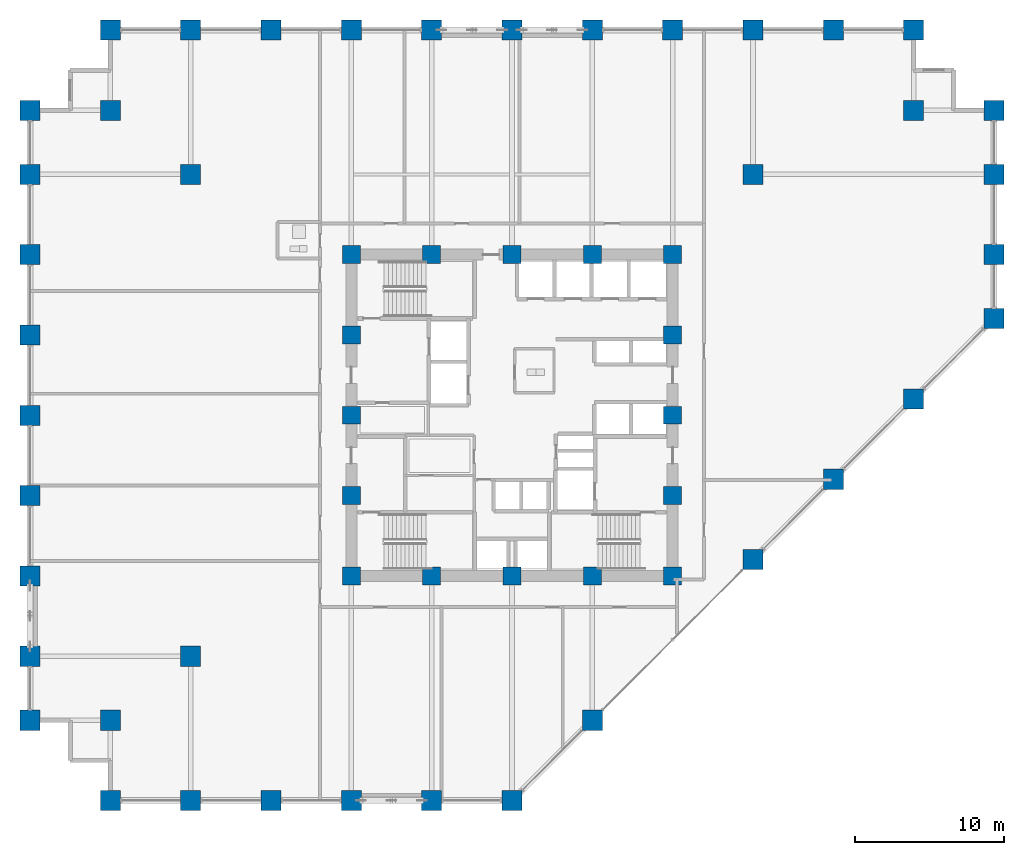
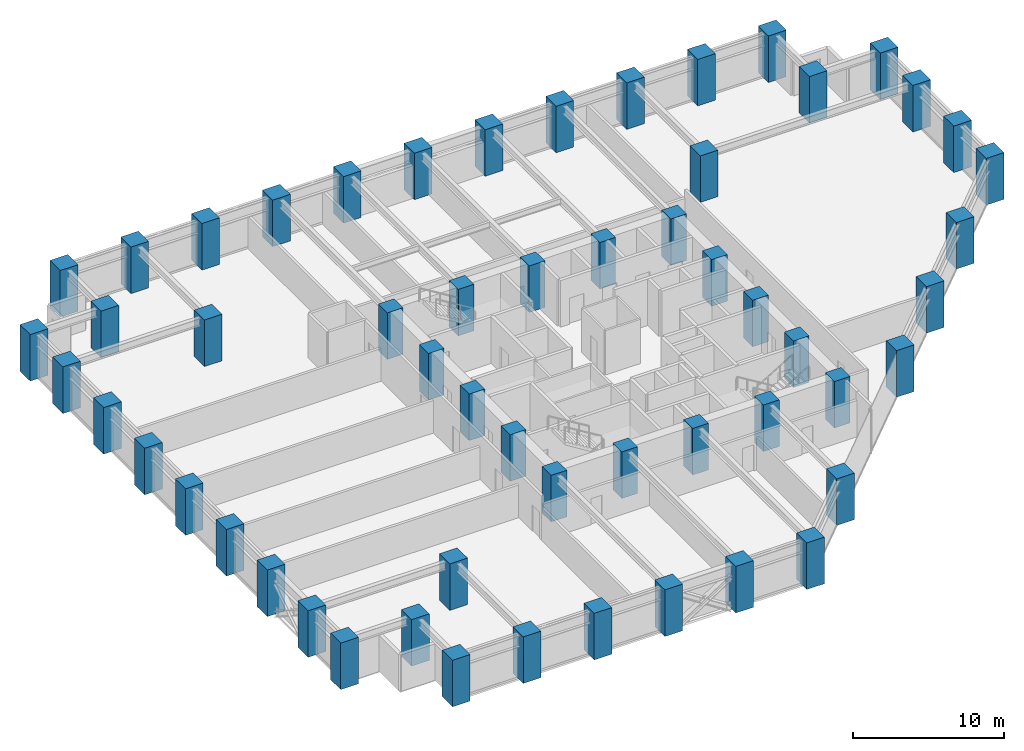
# One storey, part 1 of 24: 56 columns.
"""IFC4 building model written with IfcOpenShell, lengths in metres."""

from ifc_helpers import new_model, si_unit, direction, frame, origin, origin_2d, place, context, subcontext, project, spatial, rectangle, extrude, material, material_profile, profile_set, type_object, element, save


model = new_model("IFC4")

# Units and contexts
model_context = context("Model", 3, precision=1e-05, world=origin(), true_north=direction((0.0, 1.0)))
body_context = subcontext(model_context, "Body", "Model", "MODEL_VIEW")
ifc_project = project(units=[si_unit("LENGTHUNIT", "METRE"), si_unit("AREAUNIT", "SQUARE_METRE"), si_unit("VOLUMEUNIT", "CUBIC_METRE"), si_unit("PLANEANGLEUNIT", "RADIAN"), si_unit("MASSUNIT", "GRAM", prefix="KILO")], contexts=[model_context])

# Site, building, storey
site_placement = place(None, origin())
site = spatial("IfcSite", under=ifc_project, at=site_placement, CompositionType="ELEMENT")
building_placement = place(site_placement, origin())
building = spatial("IfcBuilding", under=site, at=building_placement, Name="Surkhivell Harbour Commons", CompositionType="ELEMENT")
storey_placement = place(building_placement, frame((0.0, 0.0, 26.25)))
storey = spatial("IfcBuildingStorey", under=building, at=storey_placement, Name="L06", CompositionType="ELEMENT", Elevation=26.25)

# Columns
ifc_material = material(Name="Concrete C80/95", Category="concrete")
ifc_material_profile_1 = material_profile(ifc_material, rectangle(XDim=1.35009765625, YDim=1.35009765625, at=origin_2d()), Name="RC-COL-1350x1350")
ifc_profile_set_1 = profile_set([ifc_material_profile_1], Name="Concrete C80/95")
column_type_1 = type_object("IfcColumnType", Name="COL-TUBE-Z1A", PredefinedType="COLUMN", material=ifc_profile_set_1)
for number, where, z_axis, x_axis, name in (
    (1, (-32.39990234375, -20.5, 0.0), (0.0, 0.0, 1.0), (1.0, 0.0, 0.0), "L06 Column CT-1A (-32.4,-20.5)"),
    (2, (-32.39990234375, -16.199951171875, 0.0), (0.0, 0.0, 1.0), (1.0, 0.0, 0.0), "L06 Column CT-1A (-32.4,-16.2)"),
    (3, (-32.39990234375, -10.800048828125, 0.0), (0.0, 0.0, 1.0), (1.0, 0.0, 0.0), "L06 Column CT-1A (-32.4,-10.8)"),
    (4, (-32.39990234375, -5.39990234375, 0.0), (0.0, 0.0, 1.0), (1.0, 0.0, 0.0), "L06 Column CT-1A (-32.4,-5.4)"),
    (5, (-32.39990234375, 0.0, 0.0), (0.0, 0.0, 1.0), (1.0, 0.0, 0.0), "L06 Column CT-1A (-32.4,0.0)"),
    (6, (-32.39990234375, 5.39990234375, 0.0), (0.0, 0.0, 1.0), (1.0, 0.0, 0.0), "L06 Column CT-1A (-32.4,5.4)"),
    (7, (-32.39990234375, 10.800048828125, 0.0), (0.0, 0.0, 1.0), (1.0, 0.0, 0.0), "L06 Column CT-1A (-32.4,10.8)"),
    (8, (-32.39990234375, 16.199951171875, 0.0), (0.0, 0.0, 1.0), (1.0, 0.0, 0.0), "L06 Column CT-1A (-32.4,16.2)"),
    (9, (-32.39990234375, 20.5, 0.0), (0.0, 0.0, 1.0), (1.0, 0.0, 0.0), "L06 Column CT-1A (-32.4,20.5)"),
    (10, (-27.0, -25.89990234375, 0.0), (0.0, 0.0, 1.0), (1.0, 0.0, 0.0), "L06 Column CT-1A (-27.0,-25.9)"),
    (11, (-27.0, -20.5, 0.0), (0.0, 0.0, 1.0), (1.0, 0.0, 0.0), "L06 Column CT-1A (-27.0,-20.5)"),
    (12, (-27.0, 20.5, 0.0), (0.0, 0.0, 1.0), (1.0, 0.0, 0.0), "L06 Column CT-1A (-27.0,20.5)"),
    (13, (-27.0, 25.89990234375, 0.0), (0.0, 0.0, 1.0), (1.0, 0.0, 0.0), "L06 Column CT-1A (-27.0,25.9)"),
    (14, (-21.60009765625, -25.89990234375, 0.0), (0.0, 0.0, 1.0), (1.0, 0.0, 0.0), "L06 Column CT-1A (-21.6,-25.9)"),
    (15, (-21.60009765625, -16.199951171875, 0.0), (0.0, 0.0, 1.0), (1.0, 0.0, 0.0), "L06 Column CT-1A (-21.6,-16.2)"),
    (16, (-21.60009765625, 16.199951171875, 0.0), (0.0, 0.0, 1.0), (1.0, 0.0, 0.0), "L06 Column CT-1A (-21.6,16.2)"),
    (17, (-21.60009765625, 25.89990234375, 0.0), (0.0, 0.0, 1.0), (1.0, 0.0, 0.0), "L06 Column CT-1A (-21.6,25.9)"),
    (18, (-16.199951171875, -25.89990234375, 0.0), (0.0, 0.0, 1.0), (1.0, 0.0, 0.0), "L06 Column CT-1A (-16.2,-25.9)"),
    (19, (-16.199951171875, 25.89990234375, 0.0), (0.0, 0.0, 1.0), (1.0, 0.0, 0.0), "L06 Column CT-1A (-16.2,25.9)"),
    (20, (-10.800048828125, -25.89990234375, 0.0), (0.0, 0.0, 1.0), (1.0, 0.0, 0.0), "L06 Column CT-1A (-10.8,-25.9)"),
    (21, (-10.800048828125, 25.89990234375, 0.0), (0.0, 0.0, 1.0), (1.0, 0.0, 0.0), "L06 Column CT-1A (-10.8,25.9)"),
    (22, (-5.39990234375, -25.89990234375, 0.0), (0.0, 0.0, 1.0), (1.0, 0.0, 0.0), "L06 Column CT-1A (-5.4,-25.9)"),
    (23, (-5.39990234375, 25.89990234375, 0.0), (0.0, 0.0, 1.0), (1.0, 0.0, 0.0), "L06 Column CT-1A (-5.4,25.9)"),
    (24, (0.0, -25.89990234375, 0.0), (0.0, 0.0, 1.0), (1.0, 0.0, 0.0), "L06 Column CT-1A (-0.0,-25.9)"),
    (25, (0.0, 25.89990234375, 0.0), (0.0, 0.0, 1.0), (1.0, 0.0, 0.0), "L06 Column CT-1A (-0.0,25.9)"),
    (26, (5.39990234375, -20.5, 0.0), (0.0, 0.0, 1.0), (1.0, 0.0, 0.0), "L06 Column CT-1A (5.4,-20.5)"),
    (27, (5.39990234375, 25.89990234375, 0.0), (0.0, 0.0, 1.0), (1.0, 0.0, 0.0), "L06 Column CT-1A (5.4,25.9)"),
    (28, (10.800048828125, 25.89990234375, 0.0), (0.0, 0.0, 1.0), (1.0, 0.0, 0.0), "L06 Column CT-1A (10.8,25.9)"),
    (29, (16.199951171875, -9.699951171875, 0.0), (0.0, 0.0, 1.0), (1.0, 0.0, 0.0), "L06 Column CT-1A (16.2,-9.7)"),
    (30, (16.199951171875, 16.199951171875, 0.0), (0.0, 0.0, 1.0), (1.0, 0.0, 0.0), "L06 Column CT-1A (16.2,16.2)"),
    (31, (16.199951171875, 25.89990234375, 0.0), (0.0, 0.0, 1.0), (1.0, 0.0, 0.0), "L06 Column CT-1A (16.2,25.9)"),
    (32, (21.60009765625, -4.300048828125, 0.0), (0.0, 0.0, 1.0), (1.0, 0.0, 0.0), "L06 Column CT-1A (21.6,-4.3)"),
    (33, (21.60009765625, 25.89990234375, 0.0), (0.0, 0.0, 1.0), (1.0, 0.0, 0.0), "L06 Column CT-1A (21.6,25.9)"),
    (34, (27.0, 1.10009765625, 0.0), (0.0, 0.0, 1.0), (1.0, 0.0, 0.0), "L06 Column CT-1A (27.0,1.1)"),
    (35, (27.0, 20.5, 0.0), (0.0, 0.0, 1.0), (1.0, 0.0, 0.0), "L06 Column CT-1A (27.0,20.5)"),
    (36, (27.0, 25.89990234375, 0.0), (0.0, 0.0, 1.0), (1.0, 0.0, 0.0), "L06 Column CT-1A (27.0,25.9)"),
    (37, (32.39990234375, 6.5, 0.0), (0.0, 0.0, 1.0), (1.0, 0.0, 0.0), "L06 Column CT-1A (32.4,6.5)"),
    (38, (32.39990234375, 10.800048828125, 0.0), (0.0, 0.0, 1.0), (1.0, 0.0, 0.0), "L06 Column CT-1A (32.4,10.8)"),
    (39, (32.39990234375, 16.199951171875, 0.0), (0.0, 0.0, 1.0), (1.0, 0.0, 0.0), "L06 Column CT-1A (32.4,16.2)"),
    (40, (32.39990234375, 20.5, 0.0), (0.0, 0.0, 1.0), (1.0, 0.0, 0.0), "L06 Column CT-1A (32.4,20.5)"),
):
    element("IfcColumn", number, at=place(storey_placement, frame(where, z_axis=z_axis, x_axis=x_axis)), inside=storey, type_object=column_type_1, Name=name, PredefinedType="COLUMN", context=body_context, shape_type="SweptSolid", body=[
        extrude(rectangle(XDim=1.35009765625, YDim=1.35009765625, at=origin_2d()), origin(), (0.0, 0.0, 1.0), 3.75),
    ])
ifc_material_profile_2 = material_profile(ifc_material, rectangle(XDim=1.199951171875, YDim=1.199951171875, at=origin_2d()), Name="RC-COL-1200x1200")
ifc_profile_set_2 = profile_set([ifc_material_profile_2], Name="Concrete C80/95")
column_type_2 = type_object("IfcColumnType", Name="COL-TUBE-Z1B", PredefinedType="COLUMN", material=ifc_profile_set_2)
for number, where, z_axis, x_axis, name in (
    (41, (-10.800048828125, -10.800048828125, 0.0), (0.0, 0.0, 1.0), (1.0, 0.0, 0.0), "L06 Column CT-1B (-10.8,-10.8)"),
    (42, (-10.800048828125, -5.39990234375, 0.0), (0.0, 0.0, 1.0), (1.0, 0.0, 0.0), "L06 Column CT-1B (-10.8,-5.4)"),
    (43, (-10.800048828125, 0.0, 0.0), (0.0, 0.0, 1.0), (1.0, 0.0, 0.0), "L06 Column CT-1B (-10.8,0.0)"),
    (44, (-10.800048828125, 5.39990234375, 0.0), (0.0, 0.0, 1.0), (1.0, 0.0, 0.0), "L06 Column CT-1B (-10.8,5.4)"),
    (45, (-10.800048828125, 10.800048828125, 0.0), (0.0, 0.0, 1.0), (1.0, 0.0, 0.0), "L06 Column CT-1B (-10.8,10.8)"),
    (46, (-5.39990234375, -10.800048828125, 0.0), (0.0, 0.0, 1.0), (1.0, 0.0, 0.0), "L06 Column CT-1B (-5.4,-10.8)"),
    (47, (-5.39990234375, 10.800048828125, 0.0), (0.0, 0.0, 1.0), (1.0, 0.0, 0.0), "L06 Column CT-1B (-5.4,10.8)"),
    (48, (0.0, -10.800048828125, 0.0), (0.0, 0.0, 1.0), (1.0, 0.0, 0.0), "L06 Column CT-1B (0.0,-10.8)"),
    (49, (0.0, 10.800048828125, 0.0), (0.0, 0.0, 1.0), (1.0, 0.0, 0.0), "L06 Column CT-1B (0.0,10.8)"),
    (50, (5.39990234375, -10.800048828125, 0.0), (0.0, 0.0, 1.0), (1.0, 0.0, 0.0), "L06 Column CT-1B (5.4,-10.8)"),
    (51, (5.39990234375, 10.800048828125, 0.0), (0.0, 0.0, 1.0), (1.0, 0.0, 0.0), "L06 Column CT-1B (5.4,10.8)"),
    (52, (10.800048828125, -10.800048828125, 0.0), (0.0, 0.0, 1.0), (1.0, 0.0, 0.0), "L06 Column CT-1B (10.8,-10.8)"),
    (53, (10.800048828125, -5.39990234375, 0.0), (0.0, 0.0, 1.0), (1.0, 0.0, 0.0), "L06 Column CT-1B (10.8,-5.4)"),
    (54, (10.800048828125, 0.0, 0.0), (0.0, 0.0, 1.0), (1.0, 0.0, 0.0), "L06 Column CT-1B (10.8,0.0)"),
    (55, (10.800048828125, 5.39990234375, 0.0), (0.0, 0.0, 1.0), (1.0, 0.0, 0.0), "L06 Column CT-1B (10.8,5.4)"),
    (56, (10.800048828125, 10.800048828125, 0.0), (0.0, 0.0, 1.0), (1.0, 0.0, 0.0), "L06 Column CT-1B (10.8,10.8)"),
):
    element("IfcColumn", number, at=place(storey_placement, frame(where, z_axis=z_axis, x_axis=x_axis)), inside=storey, type_object=column_type_2, Name=name, PredefinedType="COLUMN", context=body_context, shape_type="SweptSolid", body=[
        extrude(rectangle(XDim=1.199951171875, YDim=1.199951171875, at=origin_2d()), origin(), (0.0, 0.0, 1.0), 3.75),
    ])

save(model, "model.ifc")
